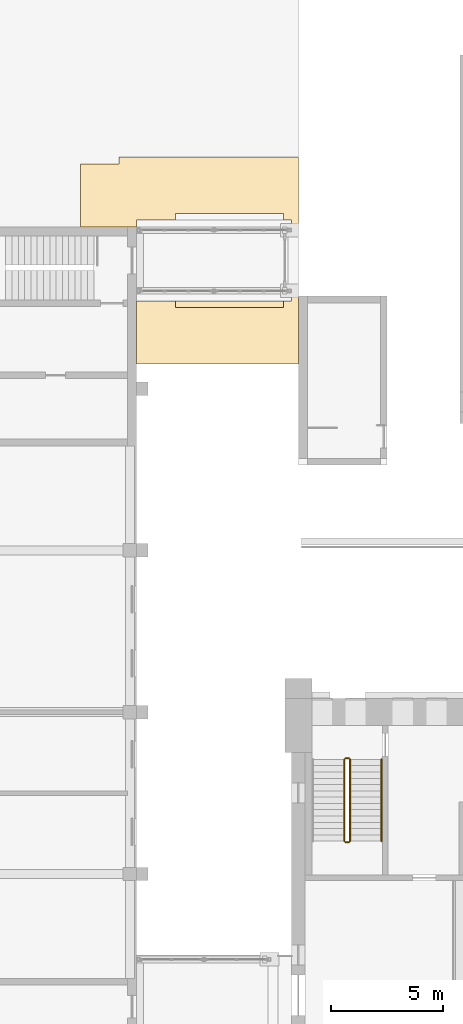
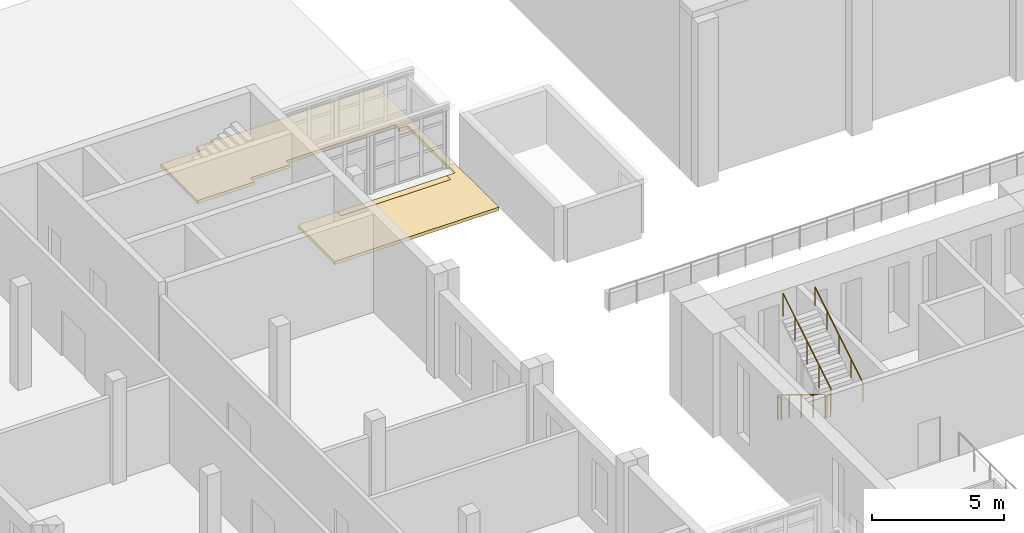
# One storey, part 118 of 131: 5 railings, 2 coverings.
"""IFC4 building model written with IfcOpenShell, lengths in metres."""

from ifc_helpers import new_model, si_unit, direction, frame, origin, origin_2d, place, context, subcontext, project, spatial, polyline, circle, outline, extrude, material, layer, layer_set, type_object, element, save


model = new_model("IFC4")

# Units and contexts
model_context = context("Model", 3, precision=1e-05, world=origin(), true_north=direction((0.0, 1.0)))
body_context = subcontext(model_context, "Body", "Model", "MODEL_VIEW")
ifc_project = project(units=[si_unit("LENGTHUNIT", "METRE"), si_unit("AREAUNIT", "SQUARE_METRE"), si_unit("VOLUMEUNIT", "CUBIC_METRE"), si_unit("PLANEANGLEUNIT", "RADIAN"), si_unit("MASSUNIT", "GRAM", prefix="KILO")], contexts=[model_context])

# Site, building, storey
site_placement = place(None, origin())
site = spatial("IfcSite", under=ifc_project, at=site_placement, CompositionType="ELEMENT")
building_placement = place(site_placement, origin())
building = spatial("IfcBuilding", under=site, at=building_placement, Name="Alderwick Market Hall", CompositionType="ELEMENT")
storey_placement = place(building_placement, frame((0.0, 0.0, 4.800048828125)))
storey = spatial("IfcBuildingStorey", under=building, at=storey_placement, Name="L00", CompositionType="ELEMENT", Elevation=4.800048828125)

# Railings
ifc_material_1 = material(Name="Steel, painted", Category="steel")
railing_type_1 = type_object("IfcRailingType", Name="H Guard 1100", PredefinedType="GUARDRAIL", material=ifc_material_1)
railing_1_placement = place(storey_placement, frame((52.449951171875, 105.89990234375, 0.17138671875)))
element("IfcRailing", 1, at=railing_1_placement, inside=storey, type_object=railing_type_1, Name="L00 H-NW stair guard 1", PredefinedType="GUARDRAIL", context=body_context, shape_type="SweptSolid", body=[
    extrude(circle(Radius=0.02392578125, at=origin_2d()), frame((0.0, 0.0, 1.076171875), z_axis=(0.0, -0.852850264322, 0.5221555579), x_axis=(1.0, 0.0, 0.0)), (0.0, 0.0, 1.0), 4.267822265625),
    extrude(circle(Radius=0.02099609375, at=origin_2d()), origin(), (0.0, 0.0, 1.0), 1.052001953125),
    extrude(circle(Radius=0.02099609375, at=origin_2d()), frame((0.0, -0.909912109375, 0.55712890625)), (0.0, 0.0, 1.0), 1.052001953125),
    extrude(circle(Radius=0.02099609375, at=origin_2d()), frame((0.0, -1.81982421875, 1.1142578125)), (0.0, 0.0, 1.0), 1.052001953125),
    extrude(circle(Radius=0.02099609375, at=origin_2d()), frame((0.0, -2.72998046875, 1.67138671875)), (0.0, 0.0, 1.0), 1.052001953125),
    extrude(circle(Radius=0.02099609375, at=origin_2d()), frame((0.0, -3.639892578125, 2.228515625)), (0.0, 0.0, 1.0), 1.052001953125),
])
railing_2_placement = place(storey_placement, frame((52.5, 102.2099609375, 2.39990234375)))
element("IfcRailing", 2, at=railing_2_placement, inside=storey, type_object=railing_type_1, Name="L00 H-NW stair guard 2", PredefinedType="GUARDRAIL", context=body_context, shape_type="SweptSolid", body=[
    extrude(circle(Radius=0.02392578125, at=origin_2d()), frame((0.0, 0.0, 1.076171875), z_axis=(1.0, 0.0, 0.0), x_axis=(0.0, 1.0, 0.0)), (0.0, 0.0, 1.0), 0.14990234375),
    extrude(circle(Radius=0.02099609375, at=origin_2d()), origin(), (0.0, 0.0, 1.0), 1.052001953125),
    extrude(circle(Radius=0.02099609375, at=origin_2d()), frame((0.14990234375, 0.0, 0.0)), (0.0, 0.0, 1.0), 1.052001953125),
])
railing_3_placement = place(storey_placement, frame((52.699951171875, 102.260009765625, 2.5712890625)))
element("IfcRailing", 3, at=railing_3_placement, inside=storey, type_object=railing_type_1, Name="L00 H-NW stair guard 3", PredefinedType="GUARDRAIL", context=body_context, shape_type="SweptSolid", body=[
    extrude(circle(Radius=0.02392578125, at=origin_2d()), frame((0.0, 0.0, 1.076171875), z_axis=(0.0, 0.852824790078, 0.522197163366), x_axis=(-1.0, 0.0, 0.0)), (0.0, 0.0, 1.0), 4.26806640625),
    extrude(circle(Radius=0.02099609375, at=origin_2d()), origin(), (0.0, 0.0, 1.0), 1.052001953125),
    extrude(circle(Radius=0.02099609375, at=origin_2d()), frame((0.0, 0.909912109375, 0.55712890625)), (0.0, 0.0, 1.0), 1.052001953125),
    extrude(circle(Radius=0.02099609375, at=origin_2d()), frame((0.0, 1.81982421875, 1.1142578125)), (0.0, 0.0, 1.0), 1.052001953125),
    extrude(circle(Radius=0.02099609375, at=origin_2d()), frame((0.0, 2.72998046875, 1.671630859375)), (0.0, 0.0, 1.0), 1.052001953125),
    extrude(circle(Radius=0.02099609375, at=origin_2d()), frame((0.0, 3.639892578125, 2.228759765625)), (0.0, 0.0, 1.0), 1.052001953125),
])
railing_4_placement = place(storey_placement, frame((52.5, 105.949951171875, 0.0)))
element("IfcRailing", 4, at=railing_4_placement, inside=storey, type_object=railing_type_1, Name="L00 H-NW stair guard 4", PredefinedType="GUARDRAIL", context=body_context, shape_type="SweptSolid", body=[
    extrude(circle(Radius=0.02392578125, at=origin_2d()), frame((0.0, 0.0, 1.076171875), z_axis=(1.0, 0.0, 0.0), x_axis=(0.0, 1.0, 0.0)), (0.0, 0.0, 1.0), 0.14990234375),
    extrude(circle(Radius=0.02099609375, at=origin_2d()), origin(), (0.0, 0.0, 1.0), 1.052001953125),
    extrude(circle(Radius=0.02099609375, at=origin_2d()), frame((0.14990234375, 0.0, 0.0)), (0.0, 0.0, 1.0), 1.052001953125),
])
railing_type_2 = type_object("IfcRailingType", Name="H Handrail 900", PredefinedType="HANDRAIL", material=ifc_material_1)
railing_5_placement = place(storey_placement, frame((54.10009765625, 102.260009765625, 2.5712890625)))
element("IfcRailing", 5, at=railing_5_placement, inside=storey, type_object=railing_type_2, Name="L00 H-NW stair handrail 2", PredefinedType="HANDRAIL", context=body_context, shape_type="SweptSolid", body=[
    extrude(circle(Radius=0.02392578125, at=origin_2d()), frame((0.0, 0.0, 0.8759765625), z_axis=(0.0, 0.852824790078, 0.522197163366), x_axis=(-1.0, 0.0, 0.0)), (0.0, 0.0, 1.0), 4.26806640625),
    extrude(circle(Radius=0.02099609375, at=origin_2d()), origin(), (0.0, 0.0, 1.0), 0.851806640625),
    extrude(circle(Radius=0.02099609375, at=origin_2d()), frame((0.0, 0.909912109375, 0.55712890625)), (0.0, 0.0, 1.0), 0.851806640625),
    extrude(circle(Radius=0.02099609375, at=origin_2d()), frame((0.0, 1.81982421875, 1.1142578125)), (0.0, 0.0, 1.0), 0.851806640625),
    extrude(circle(Radius=0.02099609375, at=origin_2d()), frame((0.0, 2.72998046875, 1.671630859375)), (0.0, 0.0, 1.0), 0.851806640625),
    extrude(circle(Radius=0.02099609375, at=origin_2d()), frame((0.0, 3.639892578125, 2.228759765625)), (0.0, 0.0, 1.0), 0.851806640625),
])

# Coverings
ifc_material_2 = material(Name="Granite setts on concrete bed", Category="masonry")
ifc_layer_1 = layer(ifc_material_2, 0.14990234375)
ifc_layer_set_1 = layer_set([ifc_layer_1], Name="Granite setts on concrete bed")
covering_type_1 = type_object("IfcCoveringType", Name="S Forecourt Paving 150", PredefinedType="USERDEFINED", material=ifc_layer_set_1)
covering_1_placement = place(storey_placement, frame((0.0, 0.0, -0.150146484375)))
element("IfcCovering", 6, at=covering_1_placement, inside=storey, type_object=covering_type_1, Name="Forecourt 24", ObjectType="PAVING", PredefinedType="USERDEFINED", context=body_context, shape_type="SweptSolid", body=[
    extrude(outline(polyline([(44.929931640625, 126.300048828125), (44.929931640625, 126.0), (49.72998046875, 126.0), (49.72998046875, 126.300048828125), (44.929931640625, 126.300048828125)])), origin(), (0.0, 0.0, 1.0), 0.150146484375),
])
ifc_material_3 = material(Name="Turf on topsoil")
ifc_layer_2 = layer(ifc_material_3, 0.14990234375)
ifc_layer_set_2 = layer_set([ifc_layer_2], Name="Turf on topsoil")
covering_type_2 = type_object("IfcCoveringType", Name="S Lawn Turf 150", PredefinedType="USERDEFINED", material=ifc_layer_set_2)
covering_2_placement = place(storey_placement, frame((0.0, 0.0, -0.150146484375)))
element("IfcCovering", 7, at=covering_2_placement, inside=storey, type_object=covering_type_2, Name="Lawn 19", ObjectType="LAWN", PredefinedType="USERDEFINED", context=body_context, shape_type="SweptSolid", body=[
    extrude(outline(polyline([(43.199951171875, 129.60009765625), (43.199951171875, 129.89990234375), (44.929931640625, 129.89990234375), (44.929931640625, 130.199951171875), (49.72998046875, 130.199951171875), (49.72998046875, 129.89990234375), (50.10009765625, 129.89990234375), (50.10009765625, 126.300048828125), (49.72998046875, 126.300048828125), (49.72998046875, 126.0), (44.929931640625, 126.0), (44.929931640625, 126.300048828125), (43.199951171875, 126.300048828125), (43.199951171875, 123.5), (50.39990234375, 123.5), (50.39990234375, 132.699951171875), (42.429931640625, 132.699951171875), (42.429931640625, 132.39990234375), (40.699951171875, 132.39990234375), (40.699951171875, 129.60009765625), (43.199951171875, 129.60009765625)])), origin(), (0.0, 0.0, 1.0), 0.150146484375),
])

save(model, "model.ifc")
